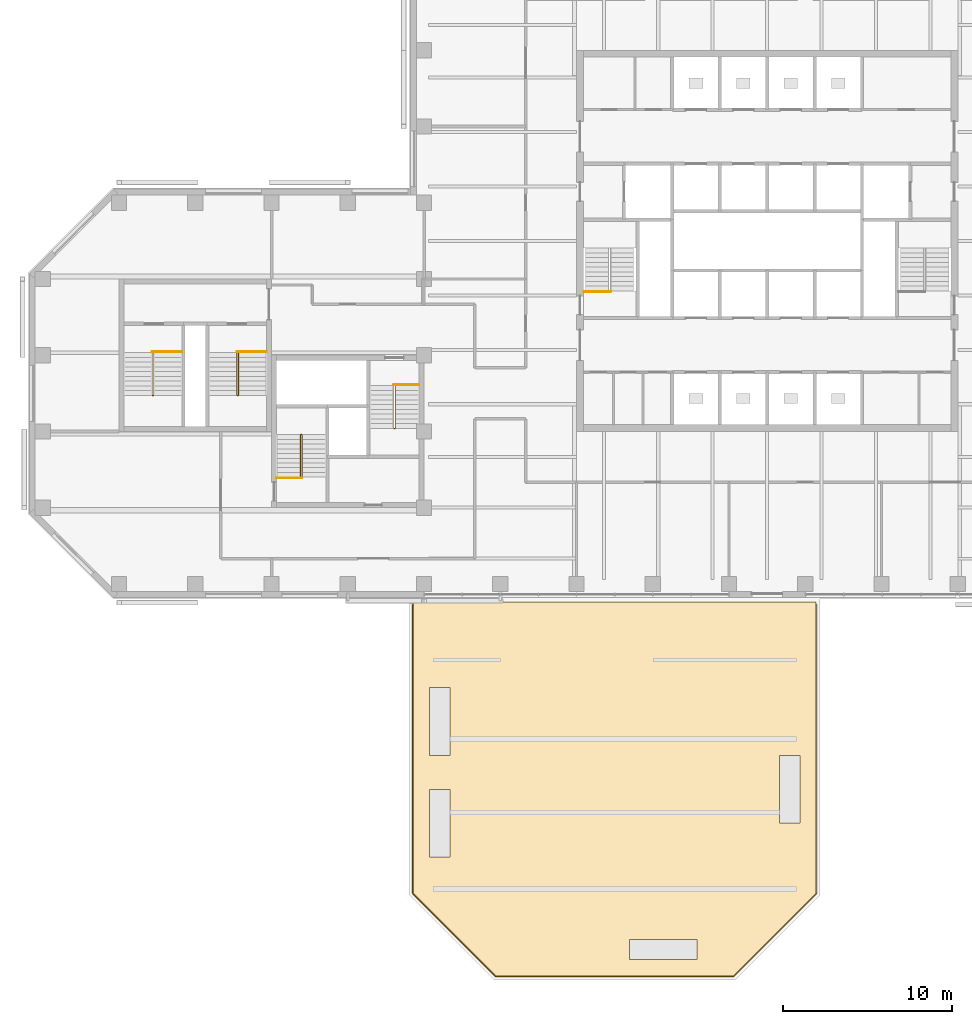
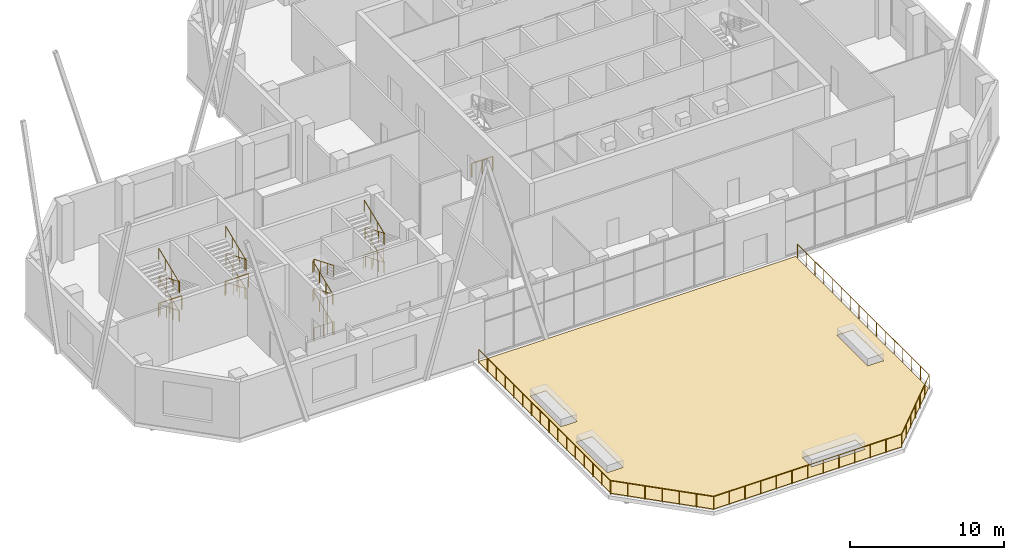
# One storey, part 13 of 14: 10 railings, 1 covering.
"""IFC4 building model written with IfcOpenShell, lengths in metres."""

from ifc_helpers import new_model, si_unit, direction, frame, origin, origin_2d, place, context, subcontext, project, spatial, polyline, circle, outline, extrude, material, layer, layer_set, type_object, element, save


model = new_model("IFC4")

# Units and contexts
model_context = context("Model", 3, precision=1e-05, world=origin(), true_north=direction((0.0, 1.0)))
body_context = subcontext(model_context, "Body", "Model", "MODEL_VIEW")
ifc_project = project(units=[si_unit("LENGTHUNIT", "METRE"), si_unit("AREAUNIT", "SQUARE_METRE"), si_unit("VOLUMEUNIT", "CUBIC_METRE"), si_unit("PLANEANGLEUNIT", "RADIAN"), si_unit("MASSUNIT", "GRAM", prefix="KILO")], contexts=[model_context])

# Site, building, storey
site_placement = place(None, origin())
site = spatial("IfcSite", under=ifc_project, at=site_placement, CompositionType="ELEMENT")
building_placement = place(site_placement, origin())
building = spatial("IfcBuilding", under=site, at=building_placement, Name="Quoin Convention Tower", CompositionType="ELEMENT")
storey_placement = place(building_placement, frame((0.0, 0.0, 143.10009765625)))
storey = spatial("IfcBuildingStorey", under=building, at=storey_placement, Name="L37", CompositionType="ELEMENT", Elevation=143.10009765625)

# Railings
ifc_material_1 = material(Name="Stainless steel", Category="steel")
railing_type_1 = type_object("IfcRailingType", Name="Guard 1100", PredefinedType="GUARDRAIL", material=ifc_material_1)
railing_1_placement = place(storey_placement, frame((59.175048828125, 39.300048828125, 0.0)))
element("IfcRailing", 1, at=railing_1_placement, inside=storey, type_object=railing_type_1, Name="grd-L37-00-59175_39300", PredefinedType="GUARDRAIL", context=body_context, shape_type="SweptSolid", body=[
    extrude(circle(Radius=0.02392578125, at=origin_2d()), frame((0.0, 0.0, 1.076171875), z_axis=(0.0, -1.0, 0.0), x_axis=(1.0, 0.0, 0.0)), (0.0, 0.0, 1.0), 17.07958984375),
    extrude(circle(Radius=0.02392578125, at=origin_2d()), frame((0.0, -17.07958984375, 1.076171875), z_axis=(-0.707106781187, -0.707106781187, 0.0), x_axis=(0.707106781187, -0.707106781187, 0.0)), (0.0, 0.0, 1.0), 6.92333984375),
    extrude(circle(Radius=0.02392578125, at=origin_2d()), frame((-4.8955078125, -21.97509765625, 1.076171875), z_axis=(-1.0, 0.0, 0.0), x_axis=(0.0, -1.0, 0.0)), (0.0, 0.0, 1.0), 14.05908203125),
    extrude(circle(Radius=0.02392578125, at=origin_2d()), frame((-18.95458984375, -21.97509765625, 1.076171875), z_axis=(-0.707106781187, 0.707106781187, 0.0), x_axis=(-0.707106781187, -0.707106781187, 0.0)), (0.0, 0.0, 1.0), 6.92333984375),
    extrude(circle(Radius=0.02392578125, at=origin_2d()), frame((-23.85009765625, -17.07958984375, 1.076171875), z_axis=(0.0, 1.0, 0.0), x_axis=(-1.0, 0.0, 0.0)), (0.0, 0.0, 1.0), 17.07958984375),
    extrude(circle(Radius=0.02099609375, at=origin_2d()), origin(), (0.0, 0.0, 1.0), 1.052001953125),
    extrude(circle(Radius=0.02099609375, at=origin_2d()), frame((0.0, -1.138671875, 0.0)), (0.0, 0.0, 1.0), 1.052001953125),
    extrude(circle(Radius=0.02099609375, at=origin_2d()), frame((0.0, -2.27734375, 0.0)), (0.0, 0.0, 1.0), 1.052001953125),
    extrude(circle(Radius=0.02099609375, at=origin_2d()), frame((0.0, -3.416015625, 0.0)), (0.0, 0.0, 1.0), 1.052001953125),
    extrude(circle(Radius=0.02099609375, at=origin_2d()), frame((0.0, -4.554443359375, 0.0)), (0.0, 0.0, 1.0), 1.052001953125),
    extrude(circle(Radius=0.02099609375, at=origin_2d()), frame((0.0, -5.693115234375, 0.0)), (0.0, 0.0, 1.0), 1.052001953125),
    extrude(circle(Radius=0.02099609375, at=origin_2d()), frame((0.0, -6.831787109375, 0.0)), (0.0, 0.0, 1.0), 1.052001953125),
    extrude(circle(Radius=0.02099609375, at=origin_2d()), frame((0.0, -7.970458984375, 0.0)), (0.0, 0.0, 1.0), 1.052001953125),
    extrude(circle(Radius=0.02099609375, at=origin_2d()), frame((0.0, -9.109130859375, 0.0)), (0.0, 0.0, 1.0), 1.052001953125),
    extrude(circle(Radius=0.02099609375, at=origin_2d()), frame((0.0, -10.247802734375, 0.0)), (0.0, 0.0, 1.0), 1.052001953125),
    extrude(circle(Radius=0.02099609375, at=origin_2d()), frame((0.0, -11.386474609375, 0.0)), (0.0, 0.0, 1.0), 1.052001953125),
    extrude(circle(Radius=0.02099609375, at=origin_2d()), frame((0.0, -12.525146484375, 0.0)), (0.0, 0.0, 1.0), 1.052001953125),
    extrude(circle(Radius=0.02099609375, at=origin_2d()), frame((0.0, -13.66357421875, 0.0)), (0.0, 0.0, 1.0), 1.052001953125),
    extrude(circle(Radius=0.02099609375, at=origin_2d()), frame((0.0, -14.80224609375, 0.0)), (0.0, 0.0, 1.0), 1.052001953125),
    extrude(circle(Radius=0.02099609375, at=origin_2d()), frame((0.0, -15.94091796875, 0.0)), (0.0, 0.0, 1.0), 1.052001953125),
    extrude(circle(Radius=0.02099609375, at=origin_2d()), frame((0.0, -17.07958984375, 0.0)), (0.0, 0.0, 1.0), 1.052001953125),
    extrude(circle(Radius=0.02099609375, at=origin_2d()), frame((-0.81591796875, -17.8955078125, 0.0)), (0.0, 0.0, 1.0), 1.052001953125),
    extrude(circle(Radius=0.02099609375, at=origin_2d()), frame((-1.6318359375, -18.71142578125, 0.0)), (0.0, 0.0, 1.0), 1.052001953125),
    extrude(circle(Radius=0.02099609375, at=origin_2d()), frame((-2.44775390625, -19.52734375, 0.0)), (0.0, 0.0, 1.0), 1.052001953125),
    extrude(circle(Radius=0.02099609375, at=origin_2d()), frame((-3.263671875, -20.34326171875, 0.0)), (0.0, 0.0, 1.0), 1.052001953125),
    extrude(circle(Radius=0.02099609375, at=origin_2d()), frame((-4.07958984375, -21.1591796875, 0.0)), (0.0, 0.0, 1.0), 1.052001953125),
    extrude(circle(Radius=0.02099609375, at=origin_2d()), frame((-4.8955078125, -21.97509765625, 0.0)), (0.0, 0.0, 1.0), 1.052001953125),
    extrude(circle(Radius=0.02099609375, at=origin_2d()), frame((-6.067138671875, -21.97509765625, 0.0)), (0.0, 0.0, 1.0), 1.052001953125),
    extrude(circle(Radius=0.02099609375, at=origin_2d()), frame((-7.23876953125, -21.97509765625, 0.0)), (0.0, 0.0, 1.0), 1.052001953125),
    extrude(circle(Radius=0.02099609375, at=origin_2d()), frame((-8.41015625, -21.97509765625, 0.0)), (0.0, 0.0, 1.0), 1.052001953125),
    extrude(circle(Radius=0.02099609375, at=origin_2d()), frame((-9.581787109375, -21.97509765625, 0.0)), (0.0, 0.0, 1.0), 1.052001953125),
    extrude(circle(Radius=0.02099609375, at=origin_2d()), frame((-10.75341796875, -21.97509765625, 0.0)), (0.0, 0.0, 1.0), 1.052001953125),
    extrude(circle(Radius=0.02099609375, at=origin_2d()), frame((-11.925048828125, -21.97509765625, 0.0)), (0.0, 0.0, 1.0), 1.052001953125),
    extrude(circle(Radius=0.02099609375, at=origin_2d()), frame((-13.0966796875, -21.97509765625, 0.0)), (0.0, 0.0, 1.0), 1.052001953125),
    extrude(circle(Radius=0.02099609375, at=origin_2d()), frame((-14.268310546875, -21.97509765625, 0.0)), (0.0, 0.0, 1.0), 1.052001953125),
    extrude(circle(Radius=0.02099609375, at=origin_2d()), frame((-15.43994140625, -21.97509765625, 0.0)), (0.0, 0.0, 1.0), 1.052001953125),
    extrude(circle(Radius=0.02099609375, at=origin_2d()), frame((-16.611328125, -21.97509765625, 0.0)), (0.0, 0.0, 1.0), 1.052001953125),
    extrude(circle(Radius=0.02099609375, at=origin_2d()), frame((-17.782958984375, -21.97509765625, 0.0)), (0.0, 0.0, 1.0), 1.052001953125),
    extrude(circle(Radius=0.02099609375, at=origin_2d()), frame((-18.95458984375, -21.97509765625, 0.0)), (0.0, 0.0, 1.0), 1.052001953125),
    extrude(circle(Radius=0.02099609375, at=origin_2d()), frame((-19.7705078125, -21.1591796875, 0.0)), (0.0, 0.0, 1.0), 1.052001953125),
    extrude(circle(Radius=0.02099609375, at=origin_2d()), frame((-20.58642578125, -20.34326171875, 0.0)), (0.0, 0.0, 1.0), 1.052001953125),
    extrude(circle(Radius=0.02099609375, at=origin_2d()), frame((-21.40234375, -19.52734375, 0.0)), (0.0, 0.0, 1.0), 1.052001953125),
    extrude(circle(Radius=0.02099609375, at=origin_2d()), frame((-22.21826171875, -18.71142578125, 0.0)), (0.0, 0.0, 1.0), 1.052001953125),
    extrude(circle(Radius=0.02099609375, at=origin_2d()), frame((-23.0341796875, -17.8955078125, 0.0)), (0.0, 0.0, 1.0), 1.052001953125),
    extrude(circle(Radius=0.02099609375, at=origin_2d()), frame((-23.85009765625, -17.07958984375, 0.0)), (0.0, 0.0, 1.0), 1.052001953125),
    extrude(circle(Radius=0.02099609375, at=origin_2d()), frame((-23.85009765625, -15.94091796875, 0.0)), (0.0, 0.0, 1.0), 1.052001953125),
    extrude(circle(Radius=0.02099609375, at=origin_2d()), frame((-23.85009765625, -14.80224609375, 0.0)), (0.0, 0.0, 1.0), 1.052001953125),
    extrude(circle(Radius=0.02099609375, at=origin_2d()), frame((-23.85009765625, -13.66357421875, 0.0)), (0.0, 0.0, 1.0), 1.052001953125),
    extrude(circle(Radius=0.02099609375, at=origin_2d()), frame((-23.85009765625, -12.525146484375, 0.0)), (0.0, 0.0, 1.0), 1.052001953125),
    extrude(circle(Radius=0.02099609375, at=origin_2d()), frame((-23.85009765625, -11.386474609375, 0.0)), (0.0, 0.0, 1.0), 1.052001953125),
    extrude(circle(Radius=0.02099609375, at=origin_2d()), frame((-23.85009765625, -10.247802734375, 0.0)), (0.0, 0.0, 1.0), 1.052001953125),
    extrude(circle(Radius=0.02099609375, at=origin_2d()), frame((-23.85009765625, -9.109130859375, 0.0)), (0.0, 0.0, 1.0), 1.052001953125),
    extrude(circle(Radius=0.02099609375, at=origin_2d()), frame((-23.85009765625, -7.970458984375, 0.0)), (0.0, 0.0, 1.0), 1.052001953125),
    extrude(circle(Radius=0.02099609375, at=origin_2d()), frame((-23.85009765625, -6.831787109375, 0.0)), (0.0, 0.0, 1.0), 1.052001953125),
    extrude(circle(Radius=0.02099609375, at=origin_2d()), frame((-23.85009765625, -5.693115234375, 0.0)), (0.0, 0.0, 1.0), 1.052001953125),
    extrude(circle(Radius=0.02099609375, at=origin_2d()), frame((-23.85009765625, -4.554443359375, 0.0)), (0.0, 0.0, 1.0), 1.052001953125),
    extrude(circle(Radius=0.02099609375, at=origin_2d()), frame((-23.85009765625, -3.416015625, 0.0)), (0.0, 0.0, 1.0), 1.052001953125),
    extrude(circle(Radius=0.02099609375, at=origin_2d()), frame((-23.85009765625, -2.27734375, 0.0)), (0.0, 0.0, 1.0), 1.052001953125),
    extrude(circle(Radius=0.02099609375, at=origin_2d()), frame((-23.85009765625, -1.138671875, 0.0)), (0.0, 0.0, 1.0), 1.052001953125),
    extrude(circle(Radius=0.02099609375, at=origin_2d()), frame((-23.85009765625, 0.0, 0.0)), (0.0, 0.0, 1.0), 1.052001953125),
])
railing_type_2 = type_object("IfcRailingType", Name="Stair handrail 900", PredefinedType="HANDRAIL", material=ifc_material_1)
railing_2_placement = place(storey_placement, frame((28.705078125, 46.800048828125, 0.114990234375)))
element("IfcRailing", 2, at=railing_2_placement, inside=storey, type_object=railing_type_2, Name="SD3 handrail 1", PredefinedType="HANDRAIL", context=body_context, shape_type="SweptSolid", body=[
    extrude(circle(Radius=0.02392578125, at=origin_2d()), frame((0.0, 0.0, 0.8759765625), z_axis=(0.0, 0.925032190732, 0.379888728591), x_axis=(-1.0, 0.0, 0.0)), (0.0, 0.0, 1.0), 2.724365234375),
    extrude(circle(Radius=0.02392578125, at=origin_2d()), frame((0.0, 2.52001953125, 1.91064453125), z_axis=(0.615676507846, 0.0, 0.787999008684), x_axis=(0.0, 1.0, 0.0)), (0.0, 0.0, 1.0), 0.14599609375),
    extrude(circle(Radius=0.02392578125, at=origin_2d()), frame((0.08984375, 2.52001953125, 2.02587890625), z_axis=(0.0, -0.925032190732, 0.379888728591), x_axis=(1.0, 0.0, 0.0)), (0.0, 0.0, 1.0), 2.724365234375),
    extrude(circle(Radius=0.02392578125, at=origin_2d()), frame((0.08984375, 0.0, 3.060546875), z_axis=(-0.615676507846, 0.0, 0.787999008684), x_axis=(0.0, -1.0, 0.0)), (0.0, 0.0, 1.0), 0.14599609375),
    extrude(circle(Radius=0.02392578125, at=origin_2d()), frame((0.0, 0.0, 3.17578125), z_axis=(0.0, 0.92500069619, 0.379965409014), x_axis=(-1.0, 0.0, 0.0)), (0.0, 0.0, 1.0), 2.724365234375),
    extrude(circle(Radius=0.02392578125, at=origin_2d()), frame((0.0, 2.52001953125, 4.2109375), z_axis=(0.615676507846, 0.0, 0.787999008684), x_axis=(0.0, 1.0, 0.0)), (0.0, 0.0, 1.0), 0.14599609375),
    extrude(circle(Radius=0.02392578125, at=origin_2d()), frame((0.08984375, 2.52001953125, 4.32568359375), z_axis=(0.0, -0.925032190732, 0.379888728591), x_axis=(1.0, 0.0, 0.0)), (0.0, 0.0, 1.0), 2.724365234375),
    extrude(circle(Radius=0.02099609375, at=origin_2d()), origin(), (0.0, 0.0, 1.0), 0.851806640625),
    extrude(circle(Radius=0.02099609375, at=origin_2d()), frame((0.0, 0.840087890625, 0.344970703125)), (0.0, 0.0, 1.0), 0.851806640625),
    extrude(circle(Radius=0.02099609375, at=origin_2d()), frame((0.0, 1.679931640625, 0.68994140625)), (0.0, 0.0, 1.0), 0.851806640625),
    extrude(circle(Radius=0.02099609375, at=origin_2d()), frame((0.0, 2.52001953125, 1.034912109375)), (0.0, 0.0, 1.0), 0.851806640625),
    extrude(circle(Radius=0.02099609375, at=origin_2d()), frame((0.08984375, 2.52001953125, 1.14990234375)), (0.0, 0.0, 1.0), 0.851806640625),
    extrude(circle(Radius=0.02099609375, at=origin_2d()), frame((0.08984375, 1.679931640625, 1.494873046875)), (0.0, 0.0, 1.0), 0.851806640625),
    extrude(circle(Radius=0.02099609375, at=origin_2d()), frame((0.08984375, 0.840087890625, 1.83984375)), (0.0, 0.0, 1.0), 0.851806640625),
    extrude(circle(Radius=0.02099609375, at=origin_2d()), frame((0.08984375, 0.0, 2.184814453125)), (0.0, 0.0, 1.0), 0.851806640625),
    extrude(circle(Radius=0.02099609375, at=origin_2d()), frame((0.0, 0.0, 2.2998046875)), (0.0, 0.0, 1.0), 0.851806640625),
    extrude(circle(Radius=0.02099609375, at=origin_2d()), frame((0.0, 0.840087890625, 2.644775390625)), (0.0, 0.0, 1.0), 0.851806640625),
    extrude(circle(Radius=0.02099609375, at=origin_2d()), frame((0.0, 1.679931640625, 2.989990234375)), (0.0, 0.0, 1.0), 0.851806640625),
    extrude(circle(Radius=0.02099609375, at=origin_2d()), frame((0.0, 2.52001953125, 3.3349609375)), (0.0, 0.0, 1.0), 0.851806640625),
    extrude(circle(Radius=0.02099609375, at=origin_2d()), frame((0.08984375, 2.52001953125, 3.449951171875)), (0.0, 0.0, 1.0), 0.851806640625),
    extrude(circle(Radius=0.02099609375, at=origin_2d()), frame((0.08984375, 1.679931640625, 3.794921875)), (0.0, 0.0, 1.0), 0.851806640625),
    extrude(circle(Radius=0.02099609375, at=origin_2d()), frame((0.08984375, 0.840087890625, 4.139892578125)), (0.0, 0.0, 1.0), 0.851806640625),
    extrude(circle(Radius=0.02099609375, at=origin_2d()), frame((0.08984375, 0.0, 4.48486328125)), (0.0, 0.0, 1.0), 0.851806640625),
])
railing_3_placement = place(storey_placement, frame((34.294921875, 52.199951171875, 0.114990234375)))
element("IfcRailing", 3, at=railing_3_placement, inside=storey, type_object=railing_type_2, Name="SD4 handrail 1", PredefinedType="HANDRAIL", context=body_context, shape_type="SweptSolid", body=[
    extrude(circle(Radius=0.02392578125, at=origin_2d()), frame((0.0, 0.0, 0.8759765625), z_axis=(0.0, -0.925032190732, 0.379888728591), x_axis=(1.0, 0.0, 0.0)), (0.0, 0.0, 1.0), 2.724365234375),
    extrude(circle(Radius=0.02392578125, at=origin_2d()), frame((0.0, -2.52001953125, 1.91064453125), z_axis=(-0.615676507846, 0.0, 0.787999008684), x_axis=(0.0, -1.0, 0.0)), (0.0, 0.0, 1.0), 0.14599609375),
    extrude(circle(Radius=0.02392578125, at=origin_2d()), frame((-0.08984375, -2.52001953125, 2.02587890625), z_axis=(0.0, 0.925032190732, 0.379888728591), x_axis=(-1.0, 0.0, 0.0)), (0.0, 0.0, 1.0), 2.724365234375),
    extrude(circle(Radius=0.02392578125, at=origin_2d()), frame((-0.08984375, 0.0, 3.060546875), z_axis=(0.615676507846, 0.0, 0.787999008684), x_axis=(0.0, 1.0, 0.0)), (0.0, 0.0, 1.0), 0.14599609375),
    extrude(circle(Radius=0.02392578125, at=origin_2d()), frame((0.0, 0.0, 3.17578125), z_axis=(0.0, -0.92500069619, 0.379965409014), x_axis=(1.0, 0.0, 0.0)), (0.0, 0.0, 1.0), 2.724365234375),
    extrude(circle(Radius=0.02392578125, at=origin_2d()), frame((0.0, -2.52001953125, 4.2109375), z_axis=(-0.615676507846, 0.0, 0.787999008684), x_axis=(0.0, -1.0, 0.0)), (0.0, 0.0, 1.0), 0.14599609375),
    extrude(circle(Radius=0.02392578125, at=origin_2d()), frame((-0.08984375, -2.52001953125, 4.32568359375), z_axis=(0.0, 0.925032190732, 0.379888728591), x_axis=(-1.0, 0.0, 0.0)), (0.0, 0.0, 1.0), 2.724365234375),
    extrude(circle(Radius=0.02099609375, at=origin_2d()), origin(), (0.0, 0.0, 1.0), 0.851806640625),
    extrude(circle(Radius=0.02099609375, at=origin_2d()), frame((0.0, -0.840087890625, 0.344970703125)), (0.0, 0.0, 1.0), 0.851806640625),
    extrude(circle(Radius=0.02099609375, at=origin_2d()), frame((0.0, -1.679931640625, 0.68994140625)), (0.0, 0.0, 1.0), 0.851806640625),
    extrude(circle(Radius=0.02099609375, at=origin_2d()), frame((0.0, -2.52001953125, 1.034912109375)), (0.0, 0.0, 1.0), 0.851806640625),
    extrude(circle(Radius=0.02099609375, at=origin_2d()), frame((-0.08984375, -2.52001953125, 1.14990234375)), (0.0, 0.0, 1.0), 0.851806640625),
    extrude(circle(Radius=0.02099609375, at=origin_2d()), frame((-0.08984375, -1.679931640625, 1.494873046875)), (0.0, 0.0, 1.0), 0.851806640625),
    extrude(circle(Radius=0.02099609375, at=origin_2d()), frame((-0.08984375, -0.840087890625, 1.83984375)), (0.0, 0.0, 1.0), 0.851806640625),
    extrude(circle(Radius=0.02099609375, at=origin_2d()), frame((-0.08984375, 0.0, 2.184814453125)), (0.0, 0.0, 1.0), 0.851806640625),
    extrude(circle(Radius=0.02099609375, at=origin_2d()), frame((0.0, 0.0, 2.2998046875)), (0.0, 0.0, 1.0), 0.851806640625),
    extrude(circle(Radius=0.02099609375, at=origin_2d()), frame((0.0, -0.840087890625, 2.644775390625)), (0.0, 0.0, 1.0), 0.851806640625),
    extrude(circle(Radius=0.02099609375, at=origin_2d()), frame((0.0, -1.679931640625, 2.989990234375)), (0.0, 0.0, 1.0), 0.851806640625),
    extrude(circle(Radius=0.02099609375, at=origin_2d()), frame((0.0, -2.52001953125, 3.3349609375)), (0.0, 0.0, 1.0), 0.851806640625),
    extrude(circle(Radius=0.02099609375, at=origin_2d()), frame((-0.08984375, -2.52001953125, 3.449951171875)), (0.0, 0.0, 1.0), 0.851806640625),
    extrude(circle(Radius=0.02099609375, at=origin_2d()), frame((-0.08984375, -1.679931640625, 3.794921875)), (0.0, 0.0, 1.0), 0.851806640625),
    extrude(circle(Radius=0.02099609375, at=origin_2d()), frame((-0.08984375, -0.840087890625, 4.139892578125)), (0.0, 0.0, 1.0), 0.851806640625),
    extrude(circle(Radius=0.02099609375, at=origin_2d()), frame((-0.08984375, 0.0, 4.48486328125)), (0.0, 0.0, 1.0), 0.851806640625),
])
railing_4_placement = place(storey_placement, frame((20.044921875, 54.14990234375, 0.114990234375)))
element("IfcRailing", 4, at=railing_4_placement, inside=storey, type_object=railing_type_2, Name="SD11 handrail 1", PredefinedType="HANDRAIL", context=body_context, shape_type="SweptSolid", body=[
    extrude(circle(Radius=0.02392578125, at=origin_2d()), frame((0.0, 0.0, 0.8759765625), z_axis=(0.0, -0.925032190732, 0.379888728591), x_axis=(1.0, 0.0, 0.0)), (0.0, 0.0, 1.0), 2.724365234375),
    extrude(circle(Radius=0.02392578125, at=origin_2d()), frame((0.0, -2.52001953125, 1.91064453125), z_axis=(-0.615676507846, 0.0, 0.787999008684), x_axis=(0.0, -1.0, 0.0)), (0.0, 0.0, 1.0), 0.14599609375),
    extrude(circle(Radius=0.02392578125, at=origin_2d()), frame((-0.08984375, -2.52001953125, 2.02587890625), z_axis=(0.0, 0.925032190732, 0.379888728591), x_axis=(-1.0, 0.0, 0.0)), (0.0, 0.0, 1.0), 2.724365234375),
    extrude(circle(Radius=0.02392578125, at=origin_2d()), frame((-0.08984375, 0.0, 3.060546875), z_axis=(0.615676507846, 0.0, 0.787999008684), x_axis=(0.0, 1.0, 0.0)), (0.0, 0.0, 1.0), 0.14599609375),
    extrude(circle(Radius=0.02392578125, at=origin_2d()), frame((0.0, 0.0, 3.17578125), z_axis=(0.0, -0.92500069619, 0.379965409014), x_axis=(1.0, 0.0, 0.0)), (0.0, 0.0, 1.0), 2.724365234375),
    extrude(circle(Radius=0.02392578125, at=origin_2d()), frame((0.0, -2.52001953125, 4.2109375), z_axis=(-0.615676507846, 0.0, 0.787999008684), x_axis=(0.0, -1.0, 0.0)), (0.0, 0.0, 1.0), 0.14599609375),
    extrude(circle(Radius=0.02392578125, at=origin_2d()), frame((-0.08984375, -2.52001953125, 4.32568359375), z_axis=(0.0, 0.925032190732, 0.379888728591), x_axis=(-1.0, 0.0, 0.0)), (0.0, 0.0, 1.0), 2.724365234375),
    extrude(circle(Radius=0.02099609375, at=origin_2d()), origin(), (0.0, 0.0, 1.0), 0.851806640625),
    extrude(circle(Radius=0.02099609375, at=origin_2d()), frame((0.0, -0.840087890625, 0.344970703125)), (0.0, 0.0, 1.0), 0.851806640625),
    extrude(circle(Radius=0.02099609375, at=origin_2d()), frame((0.0, -1.679931640625, 0.68994140625)), (0.0, 0.0, 1.0), 0.851806640625),
    extrude(circle(Radius=0.02099609375, at=origin_2d()), frame((0.0, -2.52001953125, 1.034912109375)), (0.0, 0.0, 1.0), 0.851806640625),
    extrude(circle(Radius=0.02099609375, at=origin_2d()), frame((-0.08984375, -2.52001953125, 1.14990234375)), (0.0, 0.0, 1.0), 0.851806640625),
    extrude(circle(Radius=0.02099609375, at=origin_2d()), frame((-0.08984375, -1.679931640625, 1.494873046875)), (0.0, 0.0, 1.0), 0.851806640625),
    extrude(circle(Radius=0.02099609375, at=origin_2d()), frame((-0.08984375, -0.840087890625, 1.83984375)), (0.0, 0.0, 1.0), 0.851806640625),
    extrude(circle(Radius=0.02099609375, at=origin_2d()), frame((-0.08984375, 0.0, 2.184814453125)), (0.0, 0.0, 1.0), 0.851806640625),
    extrude(circle(Radius=0.02099609375, at=origin_2d()), frame((0.0, 0.0, 2.2998046875)), (0.0, 0.0, 1.0), 0.851806640625),
    extrude(circle(Radius=0.02099609375, at=origin_2d()), frame((0.0, -0.840087890625, 2.644775390625)), (0.0, 0.0, 1.0), 0.851806640625),
    extrude(circle(Radius=0.02099609375, at=origin_2d()), frame((0.0, -1.679931640625, 2.989990234375)), (0.0, 0.0, 1.0), 0.851806640625),
    extrude(circle(Radius=0.02099609375, at=origin_2d()), frame((0.0, -2.52001953125, 3.3349609375)), (0.0, 0.0, 1.0), 0.851806640625),
    extrude(circle(Radius=0.02099609375, at=origin_2d()), frame((-0.08984375, -2.52001953125, 3.449951171875)), (0.0, 0.0, 1.0), 0.851806640625),
    extrude(circle(Radius=0.02099609375, at=origin_2d()), frame((-0.08984375, -1.679931640625, 3.794921875)), (0.0, 0.0, 1.0), 0.851806640625),
    extrude(circle(Radius=0.02099609375, at=origin_2d()), frame((-0.08984375, -0.840087890625, 4.139892578125)), (0.0, 0.0, 1.0), 0.851806640625),
    extrude(circle(Radius=0.02099609375, at=origin_2d()), frame((-0.08984375, 0.0, 4.48486328125)), (0.0, 0.0, 1.0), 0.851806640625),
])
railing_5_placement = place(storey_placement, frame((25.044921875, 54.14990234375, 0.114990234375)))
element("IfcRailing", 5, at=railing_5_placement, inside=storey, type_object=railing_type_2, Name="SD12 handrail 1", PredefinedType="HANDRAIL", context=body_context, shape_type="SweptSolid", body=[
    extrude(circle(Radius=0.02392578125, at=origin_2d()), frame((0.0, 0.0, 0.8759765625), z_axis=(0.0, -0.925032190732, 0.379888728591), x_axis=(1.0, 0.0, 0.0)), (0.0, 0.0, 1.0), 2.724365234375),
    extrude(circle(Radius=0.02392578125, at=origin_2d()), frame((0.0, -2.52001953125, 1.91064453125), z_axis=(-0.615676507846, 0.0, 0.787999008684), x_axis=(0.0, -1.0, 0.0)), (0.0, 0.0, 1.0), 0.14599609375),
    extrude(circle(Radius=0.02392578125, at=origin_2d()), frame((-0.08984375, -2.52001953125, 2.02587890625), z_axis=(0.0, 0.925032190732, 0.379888728591), x_axis=(-1.0, 0.0, 0.0)), (0.0, 0.0, 1.0), 2.724365234375),
    extrude(circle(Radius=0.02392578125, at=origin_2d()), frame((-0.08984375, 0.0, 3.060546875), z_axis=(0.615676507846, 0.0, 0.787999008684), x_axis=(0.0, 1.0, 0.0)), (0.0, 0.0, 1.0), 0.14599609375),
    extrude(circle(Radius=0.02392578125, at=origin_2d()), frame((0.0, 0.0, 3.17578125), z_axis=(0.0, -0.92500069619, 0.379965409014), x_axis=(1.0, 0.0, 0.0)), (0.0, 0.0, 1.0), 2.724365234375),
    extrude(circle(Radius=0.02392578125, at=origin_2d()), frame((0.0, -2.52001953125, 4.2109375), z_axis=(-0.615676507846, 0.0, 0.787999008684), x_axis=(0.0, -1.0, 0.0)), (0.0, 0.0, 1.0), 0.14599609375),
    extrude(circle(Radius=0.02392578125, at=origin_2d()), frame((-0.08984375, -2.52001953125, 4.32568359375), z_axis=(0.0, 0.925032190732, 0.379888728591), x_axis=(-1.0, 0.0, 0.0)), (0.0, 0.0, 1.0), 2.724365234375),
    extrude(circle(Radius=0.02099609375, at=origin_2d()), origin(), (0.0, 0.0, 1.0), 0.851806640625),
    extrude(circle(Radius=0.02099609375, at=origin_2d()), frame((0.0, -0.840087890625, 0.344970703125)), (0.0, 0.0, 1.0), 0.851806640625),
    extrude(circle(Radius=0.02099609375, at=origin_2d()), frame((0.0, -1.679931640625, 0.68994140625)), (0.0, 0.0, 1.0), 0.851806640625),
    extrude(circle(Radius=0.02099609375, at=origin_2d()), frame((0.0, -2.52001953125, 1.034912109375)), (0.0, 0.0, 1.0), 0.851806640625),
    extrude(circle(Radius=0.02099609375, at=origin_2d()), frame((-0.08984375, -2.52001953125, 1.14990234375)), (0.0, 0.0, 1.0), 0.851806640625),
    extrude(circle(Radius=0.02099609375, at=origin_2d()), frame((-0.08984375, -1.679931640625, 1.494873046875)), (0.0, 0.0, 1.0), 0.851806640625),
    extrude(circle(Radius=0.02099609375, at=origin_2d()), frame((-0.08984375, -0.840087890625, 1.83984375)), (0.0, 0.0, 1.0), 0.851806640625),
    extrude(circle(Radius=0.02099609375, at=origin_2d()), frame((-0.08984375, 0.0, 2.184814453125)), (0.0, 0.0, 1.0), 0.851806640625),
    extrude(circle(Radius=0.02099609375, at=origin_2d()), frame((0.0, 0.0, 2.2998046875)), (0.0, 0.0, 1.0), 0.851806640625),
    extrude(circle(Radius=0.02099609375, at=origin_2d()), frame((0.0, -0.840087890625, 2.644775390625)), (0.0, 0.0, 1.0), 0.851806640625),
    extrude(circle(Radius=0.02099609375, at=origin_2d()), frame((0.0, -1.679931640625, 2.989990234375)), (0.0, 0.0, 1.0), 0.851806640625),
    extrude(circle(Radius=0.02099609375, at=origin_2d()), frame((0.0, -2.52001953125, 3.3349609375)), (0.0, 0.0, 1.0), 0.851806640625),
    extrude(circle(Radius=0.02099609375, at=origin_2d()), frame((-0.08984375, -2.52001953125, 3.449951171875)), (0.0, 0.0, 1.0), 0.851806640625),
    extrude(circle(Radius=0.02099609375, at=origin_2d()), frame((-0.08984375, -1.679931640625, 3.794921875)), (0.0, 0.0, 1.0), 0.851806640625),
    extrude(circle(Radius=0.02099609375, at=origin_2d()), frame((-0.08984375, -0.840087890625, 4.139892578125)), (0.0, 0.0, 1.0), 0.851806640625),
    extrude(circle(Radius=0.02099609375, at=origin_2d()), frame((-0.08984375, 0.0, 4.48486328125)), (0.0, 0.0, 1.0), 0.851806640625),
])
railing_type_3 = type_object("IfcRailingType", Name="Stair top guard 1100", PredefinedType="GUARDRAIL", material=ifc_material_1)
railing_6_placement = place(storey_placement, frame((45.449951171875, 57.75, 0.0)))
element("IfcRailing", 6, at=railing_6_placement, inside=storey, type_object=railing_type_3, Name="SD1 top guard", PredefinedType="GUARDRAIL", context=body_context, shape_type="SweptSolid", body=[
    extrude(circle(Radius=0.02392578125, at=origin_2d()), frame((0.0, 0.0, 1.076171875), z_axis=(1.0, 0.0, 0.0), x_axis=(0.0, 1.0, 0.0)), (0.0, 0.0, 1.0), 1.570068359375),
    extrude(circle(Radius=0.02099609375, at=origin_2d()), origin(), (0.0, 0.0, 1.0), 1.052001953125),
    extrude(circle(Radius=0.02099609375, at=origin_2d()), frame((0.78515625, 0.0, 0.0)), (0.0, 0.0, 1.0), 1.052001953125),
    extrude(circle(Radius=0.02099609375, at=origin_2d()), frame((1.570068359375, 0.0, 0.0)), (0.0, 0.0, 1.0), 1.052001953125),
])
railing_7_placement = place(storey_placement, frame((27.300048828125, 46.75, 0.0)))
element("IfcRailing", 7, at=railing_7_placement, inside=storey, type_object=railing_type_3, Name="SD3 top guard", PredefinedType="GUARDRAIL", context=body_context, shape_type="SweptSolid", body=[
    extrude(circle(Radius=0.02392578125, at=origin_2d()), frame((0.0, 0.0, 1.076171875), z_axis=(1.0, 0.0, 0.0), x_axis=(0.0, 1.0, 0.0)), (0.0, 0.0, 1.0), 1.494873046875),
    extrude(circle(Radius=0.02099609375, at=origin_2d()), origin(), (0.0, 0.0, 1.0), 1.052001953125),
    extrude(circle(Radius=0.02099609375, at=origin_2d()), frame((0.74755859375, 0.0, 0.0)), (0.0, 0.0, 1.0), 1.052001953125),
    extrude(circle(Radius=0.02099609375, at=origin_2d()), frame((1.494873046875, 0.0, 0.0)), (0.0, 0.0, 1.0), 1.052001953125),
])
railing_8_placement = place(storey_placement, frame((35.699951171875, 52.25, 0.0)))
element("IfcRailing", 8, at=railing_8_placement, inside=storey, type_object=railing_type_3, Name="SD4 top guard", PredefinedType="GUARDRAIL", context=body_context, shape_type="SweptSolid", body=[
    extrude(circle(Radius=0.02392578125, at=origin_2d()), frame((0.0, 0.0, 1.076171875), z_axis=(-1.0, 0.0, 0.0), x_axis=(0.0, -1.0, 0.0)), (0.0, 0.0, 1.0), 1.494873046875),
    extrude(circle(Radius=0.02099609375, at=origin_2d()), origin(), (0.0, 0.0, 1.0), 1.052001953125),
    extrude(circle(Radius=0.02099609375, at=origin_2d()), frame((-0.74755859375, 0.0, 0.0)), (0.0, 0.0, 1.0), 1.052001953125),
    extrude(circle(Radius=0.02099609375, at=origin_2d()), frame((-1.494873046875, 0.0, 0.0)), (0.0, 0.0, 1.0), 1.052001953125),
])
for number, where, name in (
    (9, (21.699951171875, 54.199951171875, 0.0), "SD11 top guard"),
    (10, (26.699951171875, 54.199951171875, 0.0), "SD12 top guard"),
):
    element("IfcRailing", number, at=place(storey_placement, frame(where)), inside=storey, type_object=railing_type_3, Name=name, PredefinedType="GUARDRAIL", context=body_context, shape_type="SweptSolid", body=[
        extrude(circle(Radius=0.02392578125, at=origin_2d()), frame((0.0, 0.0, 1.076171875), z_axis=(-1.0, 0.0, 0.0), x_axis=(0.0, -1.0, 0.0)), (0.0, 0.0, 1.0), 1.744873046875),
        extrude(circle(Radius=0.02099609375, at=origin_2d()), origin(), (0.0, 0.0, 1.0), 1.052001953125),
        extrude(circle(Radius=0.02099609375, at=origin_2d()), frame((-0.87255859375, 0.0, 0.0)), (0.0, 0.0, 1.0), 1.052001953125),
        extrude(circle(Radius=0.02099609375, at=origin_2d()), frame((-1.744873046875, 0.0, 0.0)), (0.0, 0.0, 1.0), 1.052001953125),
    ])

# Covering
ifc_material_2 = material(Name="Stone paving", Category="masonry")
ifc_layer = layer(ifc_material_2, 0.0400390625)
ifc_layer_set = layer_set([ifc_layer], Name="Stone paving")
covering_type = type_object("IfcCoveringType", Name="Terrace paving", PredefinedType="FLOORING", material=ifc_layer_set)
covering_placement = place(storey_placement, origin())
element("IfcCovering", 11, at=covering_placement, inside=storey, type_object=covering_type, Name="ter-L37-0", PredefinedType="FLOORING", context=body_context, shape_type="SweptSolid", body=[
    extrude(outline(polyline([(59.125, 39.43994140625), (59.125, 22.2412109375), (54.2587890625, 17.375), (40.2412109375, 17.375), (35.375, 22.2412109375), (35.375, 39.43994140625), (59.125, 39.43994140625)]), holes=[polyline([(56.97509765625, 26.389892578125), (58.175048828125, 26.389892578125), (58.175048828125, 30.389892578125), (56.97509765625, 30.389892578125), (56.97509765625, 26.389892578125)]), polyline([(48.116943359375, 19.52490234375), (48.116943359375, 18.324951171875), (52.116943359375, 18.324951171875), (52.116943359375, 19.52490234375), (48.116943359375, 19.52490234375)]), polyline([(37.52490234375, 28.383056640625), (36.324951171875, 28.383056640625), (36.324951171875, 24.383056640625), (37.52490234375, 24.383056640625), (37.52490234375, 28.383056640625)]), polyline([(37.52490234375, 34.383056640625), (36.324951171875, 34.383056640625), (36.324951171875, 30.383056640625), (37.52490234375, 30.383056640625), (37.52490234375, 34.383056640625)])]), origin(), (0.0, 0.0, 1.0), 0.039794921875),
])

save(model, "model.ifc")
